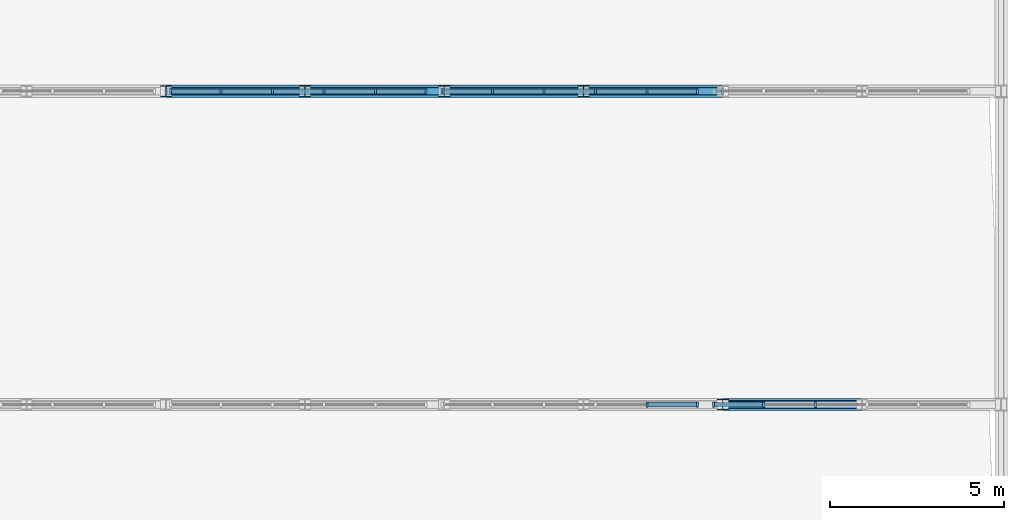
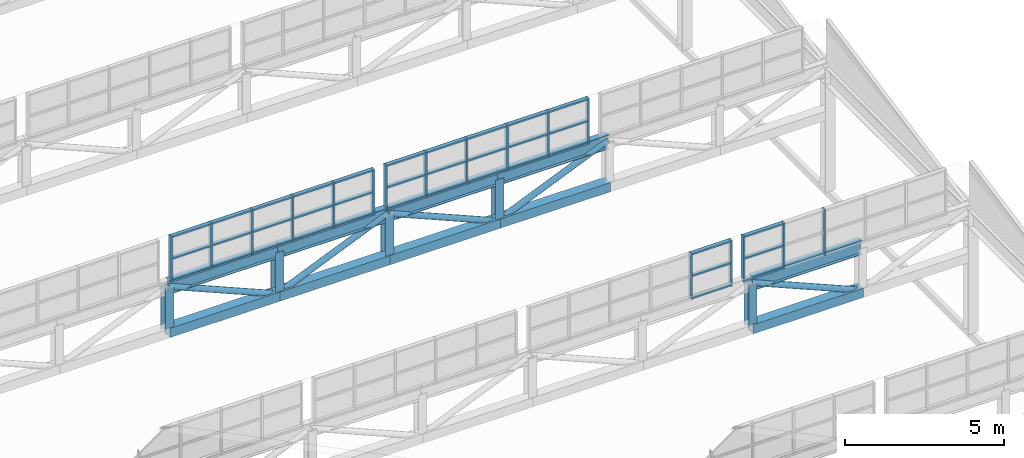
# One storey, part 88 of 159: 73 members, 4 elements without a shape of their own.
"""IFC4 building model written with IfcOpenShell, lengths in metres."""

from ifc_helpers import new_model, si_unit, direction, frame, origin, origin_2d, place, context, subcontext, project, spatial, rectangle, hollow_rectangle, hollow_circle, i_section, extrude, material, layer, layer_set, material_profile, profile_set, type_object, element, aggregate, save


model = new_model("IFC4")

# Units and contexts
model_context = context("Model", 3, precision=1e-05, world=origin(), true_north=direction((0.0, 1.0)))
body_context = subcontext(model_context, "Body", "Model", "MODEL_VIEW")
ifc_project = project(units=[si_unit("LENGTHUNIT", "METRE"), si_unit("AREAUNIT", "SQUARE_METRE"), si_unit("VOLUMEUNIT", "CUBIC_METRE"), si_unit("PLANEANGLEUNIT", "RADIAN"), si_unit("MASSUNIT", "GRAM", prefix="KILO")], contexts=[model_context])

# Site, building, storey
site_placement = place(None, origin())
site = spatial("IfcSite", under=ifc_project, at=site_placement, CompositionType="ELEMENT")
building_placement = place(site_placement, origin())
building = spatial("IfcBuilding", under=site, at=building_placement, Name="Cazmaro Siding Exhibition Halls", CompositionType="ELEMENT")
storey_placement = place(building_placement, frame((0.0, 0.0, 6.0)))
storey = spatial("IfcBuildingStorey", under=building, at=storey_placement, Name="L01", CompositionType="ELEMENT", Elevation=6.0)

# Curtain wall, members
ifc_material_1 = material(Name="Anodized Bronze Aluminum and Solar-Control Low-E Glazing", Category="aluminium")
ifc_layer = layer(ifc_material_1, 0.159912109375)
ifc_layer_set = layer_set([ifc_layer], Name="Anodized Bronze Aluminum and Solar-Control Low-E Glazing")
curtain_wall_type = type_object("IfcCurtainWallType", Name="CWS-04", PredefinedType="USERDEFINED", material=ifc_layer_set)
curtain_wall_1_placement = place(storey_placement, origin())
curtain_wall_1 = element("IfcCurtainWall", 1, at=curtain_wall_1_placement, inside=storey, type_object=curtain_wall_type, Name="Clerestory Curtain Wall CWS-04 CW-118", ObjectType="CLERESTORY CURTAIN WALL", PredefinedType="USERDEFINED")
ifc_material_2 = material(Name="Anodized Bronze Extruded Aluminum", Category="aluminium")
ifc_material_profile_1 = material_profile(ifc_material_2, rectangle(XDim=0.159912109375, YDim=0.06005859375, at=origin_2d()), Name="CWM-04")
ifc_profile_set_1 = profile_set([ifc_material_profile_1], Name="Anodized Bronze Extruded Aluminum")
member_type_1 = type_object("IfcMemberType", Name="CWM-04", PredefinedType="MULLION", material=ifc_profile_set_1)
member_1_placement = place(storey_placement, frame((207.27001953125, 82.0, 4.800048828125), z_axis=(0.0, 0.0, 1.0), x_axis=(0.0, -1.0, 0.0)))
member_1 = element("IfcMember", 2, at=member_1_placement, type_object=member_type_1, Name="CWS-04 mullion 1", PredefinedType="MULLION", context=body_context, shape_type="SweptSolid", body=[
    extrude(rectangle(XDim=0.159912109375, YDim=0.06005859375, at=origin_2d()), origin(), (0.0, 0.0, 1.0), 1.75),
])
member_2_placement = place(storey_placement, frame((205.820068359375, 82.0, 4.800048828125), z_axis=(0.0, 0.0, 1.0), x_axis=(0.0, -1.0, 0.0)))
member_2 = element("IfcMember", 3, at=member_2_placement, type_object=member_type_1, Name="CWS-04 mullion 2", PredefinedType="MULLION", context=body_context, shape_type="SweptSolid", body=[
    extrude(rectangle(XDim=0.159912109375, YDim=0.06005859375, at=origin_2d()), origin(), (0.0, 0.0, 1.0), 1.75),
])

curtain_wall_2_placement = place(storey_placement, origin())
curtain_wall_2 = element("IfcCurtainWall", 4, at=curtain_wall_2_placement, inside=storey, type_object=curtain_wall_type, Name="Clerestory Curtain Wall CWS-04 CW-119", ObjectType="CLERESTORY CURTAIN WALL", PredefinedType="USERDEFINED")
member_3_placement = place(storey_placement, frame((210.659912109375, 82.0, 4.800048828125), z_axis=(0.0, 0.0, 1.0), x_axis=(0.0, -1.0, 0.0)))
member_3 = element("IfcMember", 5, at=member_3_placement, type_object=member_type_1, Name="CWS-04 mullion 4", PredefinedType="MULLION", context=body_context, shape_type="SweptSolid", body=[
    extrude(rectangle(XDim=0.159912109375, YDim=0.06005859375, at=origin_2d()), origin(), (0.0, 0.0, 1.0), 1.75),
])
member_4_placement = place(storey_placement, frame((209.179931640625, 82.0, 4.800048828125), z_axis=(0.0, 0.0, 1.0), x_axis=(0.0, -1.0, 0.0)))
member_4 = element("IfcMember", 6, at=member_4_placement, type_object=member_type_1, Name="CWS-04 mullion 5", PredefinedType="MULLION", context=body_context, shape_type="SweptSolid", body=[
    extrude(rectangle(XDim=0.159912109375, YDim=0.06005859375, at=origin_2d()), origin(), (0.0, 0.0, 1.0), 1.75),
])
member_5_placement = place(storey_placement, frame((207.72998046875, 82.0, 4.800048828125), z_axis=(0.0, 0.0, 1.0), x_axis=(0.0, -1.0, 0.0)))
member_5 = element("IfcMember", 7, at=member_5_placement, type_object=member_type_1, Name="CWS-04 mullion 6", PredefinedType="MULLION", context=body_context, shape_type="SweptSolid", body=[
    extrude(rectangle(XDim=0.159912109375, YDim=0.06005859375, at=origin_2d()), origin(), (0.0, 0.0, 1.0), 1.75),
])

curtain_wall_3_placement = place(storey_placement, origin())
curtain_wall_3 = element("IfcCurtainWall", 8, at=curtain_wall_3_placement, inside=storey, type_object=curtain_wall_type, Name="Clerestory Curtain Wall CWS-04 CW-122", ObjectType="CLERESTORY CURTAIN WALL", PredefinedType="USERDEFINED")
member_6_placement = place(storey_placement, frame((199.469970703125, 91.0, 4.800048828125), z_axis=(0.0, 0.0, 1.0), x_axis=(0.0, -1.0, 0.0)))
member_6 = element("IfcMember", 9, at=member_6_placement, type_object=member_type_1, Name="CWS-04 mullion 1", PredefinedType="MULLION", context=body_context, shape_type="SweptSolid", body=[
    extrude(rectangle(XDim=0.159912109375, YDim=0.06005859375, at=origin_2d()), origin(), (0.0, 0.0, 1.0), 1.75),
])
member_7_placement = place(storey_placement, frame((198.02001953125, 91.0, 4.800048828125), z_axis=(0.0, 0.0, 1.0), x_axis=(0.0, -1.0, 0.0)))
member_7 = element("IfcMember", 10, at=member_7_placement, type_object=member_type_1, Name="CWS-04 mullion 2", PredefinedType="MULLION", context=body_context, shape_type="SweptSolid", body=[
    extrude(rectangle(XDim=0.159912109375, YDim=0.06005859375, at=origin_2d()), origin(), (0.0, 0.0, 1.0), 1.75),
])
member_8_placement = place(storey_placement, frame((196.5400390625, 91.0, 4.800048828125), z_axis=(0.0, 0.0, 1.0), x_axis=(0.0, -1.0, 0.0)))
member_8 = element("IfcMember", 11, at=member_8_placement, type_object=member_type_1, Name="CWS-04 mullion 3", PredefinedType="MULLION", context=body_context, shape_type="SweptSolid", body=[
    extrude(rectangle(XDim=0.159912109375, YDim=0.06005859375, at=origin_2d()), origin(), (0.0, 0.0, 1.0), 1.75),
])
member_9_placement = place(storey_placement, frame((195.06005859375, 91.0, 4.800048828125), z_axis=(0.0, 0.0, 1.0), x_axis=(0.0, -1.0, 0.0)))
member_9 = element("IfcMember", 12, at=member_9_placement, type_object=member_type_1, Name="CWS-04 mullion 4", PredefinedType="MULLION", context=body_context, shape_type="SweptSolid", body=[
    extrude(rectangle(XDim=0.159912109375, YDim=0.06005859375, at=origin_2d()), origin(), (0.0, 0.0, 1.0), 1.75),
])
member_10_placement = place(storey_placement, frame((193.580078125, 91.0, 4.800048828125), z_axis=(0.0, 0.0, 1.0), x_axis=(0.0, -1.0, 0.0)))
member_10 = element("IfcMember", 13, at=member_10_placement, type_object=member_type_1, Name="CWS-04 mullion 5", PredefinedType="MULLION", context=body_context, shape_type="SweptSolid", body=[
    extrude(rectangle(XDim=0.159912109375, YDim=0.06005859375, at=origin_2d()), origin(), (0.0, 0.0, 1.0), 1.75),
])
member_11_placement = place(storey_placement, frame((192.1298828125, 91.0, 4.800048828125), z_axis=(0.0, 0.0, 1.0), x_axis=(0.0, -1.0, 0.0)))
member_11 = element("IfcMember", 14, at=member_11_placement, type_object=member_type_1, Name="CWS-04 mullion 6", PredefinedType="MULLION", context=body_context, shape_type="SweptSolid", body=[
    extrude(rectangle(XDim=0.159912109375, YDim=0.06005859375, at=origin_2d()), origin(), (0.0, 0.0, 1.0), 1.75),
])

curtain_wall_4_placement = place(storey_placement, origin())
curtain_wall_4 = element("IfcCurtainWall", 15, at=curtain_wall_4_placement, inside=storey, type_object=curtain_wall_type, Name="Clerestory Curtain Wall CWS-04 CW-123", ObjectType="CLERESTORY CURTAIN WALL", PredefinedType="USERDEFINED")
member_12_placement = place(storey_placement, frame((207.27001953125, 91.0, 4.800048828125), z_axis=(0.0, 0.0, 1.0), x_axis=(0.0, -1.0, 0.0)))
member_12 = element("IfcMember", 16, at=member_12_placement, type_object=member_type_1, Name="CWS-04 mullion 1", PredefinedType="MULLION", context=body_context, shape_type="SweptSolid", body=[
    extrude(rectangle(XDim=0.159912109375, YDim=0.06005859375, at=origin_2d()), origin(), (0.0, 0.0, 1.0), 1.75),
])
member_13_placement = place(storey_placement, frame((205.820068359375, 91.0, 4.800048828125), z_axis=(0.0, 0.0, 1.0), x_axis=(0.0, -1.0, 0.0)))
member_13 = element("IfcMember", 17, at=member_13_placement, type_object=member_type_1, Name="CWS-04 mullion 2", PredefinedType="MULLION", context=body_context, shape_type="SweptSolid", body=[
    extrude(rectangle(XDim=0.159912109375, YDim=0.06005859375, at=origin_2d()), origin(), (0.0, 0.0, 1.0), 1.75),
])
member_14_placement = place(storey_placement, frame((204.340087890625, 91.0, 4.800048828125), z_axis=(0.0, 0.0, 1.0), x_axis=(0.0, -1.0, 0.0)))
member_14 = element("IfcMember", 18, at=member_14_placement, type_object=member_type_1, Name="CWS-04 mullion 3", PredefinedType="MULLION", context=body_context, shape_type="SweptSolid", body=[
    extrude(rectangle(XDim=0.159912109375, YDim=0.06005859375, at=origin_2d()), origin(), (0.0, 0.0, 1.0), 1.75),
])
member_15_placement = place(storey_placement, frame((202.860107421875, 91.0, 4.800048828125), z_axis=(0.0, 0.0, 1.0), x_axis=(0.0, -1.0, 0.0)))
member_15 = element("IfcMember", 19, at=member_15_placement, type_object=member_type_1, Name="CWS-04 mullion 4", PredefinedType="MULLION", context=body_context, shape_type="SweptSolid", body=[
    extrude(rectangle(XDim=0.159912109375, YDim=0.06005859375, at=origin_2d()), origin(), (0.0, 0.0, 1.0), 1.75),
])
member_16_placement = place(storey_placement, frame((201.3798828125, 91.0, 4.800048828125), z_axis=(0.0, 0.0, 1.0), x_axis=(0.0, -1.0, 0.0)))
member_16 = element("IfcMember", 20, at=member_16_placement, type_object=member_type_1, Name="CWS-04 mullion 5", PredefinedType="MULLION", context=body_context, shape_type="SweptSolid", body=[
    extrude(rectangle(XDim=0.159912109375, YDim=0.06005859375, at=origin_2d()), origin(), (0.0, 0.0, 1.0), 1.75),
])
member_17_placement = place(storey_placement, frame((199.929931640625, 91.0, 4.800048828125), z_axis=(0.0, 0.0, 1.0), x_axis=(0.0, -1.0, 0.0)))
member_17 = element("IfcMember", 21, at=member_17_placement, type_object=member_type_1, Name="CWS-04 mullion 6", PredefinedType="MULLION", context=body_context, shape_type="SweptSolid", body=[
    extrude(rectangle(XDim=0.159912109375, YDim=0.06005859375, at=origin_2d()), origin(), (0.0, 0.0, 1.0), 1.75),
])

# Member
ifc_material_3 = material(Name="Anodized Bronze Extruded Aluminum", Category="aluminium")
ifc_material_profile_2 = material_profile(ifc_material_3, rectangle(XDim=0.139892578125, YDim=0.06005859375, at=origin_2d()), Name="CWT-04")
ifc_profile_set_2 = profile_set([ifc_material_profile_2], Name="Anodized Bronze Extruded Aluminum")
member_type_2 = type_object("IfcMemberType", Name="CWT-04", PredefinedType="MULLION", material=ifc_profile_set_2)
member_18_placement = place(storey_placement, frame((207.239990234375, 82.0, 4.830078125), z_axis=(-1.0, 0.0, 0.0), x_axis=(0.0, -1.0, 0.0)))
member_18 = element("IfcMember", 22, at=member_18_placement, type_object=member_type_2, Name="CWS-04 transom 1.1", ObjectType="TRANSOM", PredefinedType="USERDEFINED", context=body_context, shape_type="SweptSolid", body=[
    extrude(rectangle(XDim=0.139892578125, YDim=0.06005859375, at=origin_2d()), origin(), (0.0, 0.0, 1.0), 1.389892578125),
])

member_19_placement = place(storey_placement, frame((207.239990234375, 82.0, 5.679931640625), z_axis=(-1.0, 0.0, 0.0), x_axis=(0.0, -1.0, 0.0)))
member_19 = element("IfcMember", 23, at=member_19_placement, type_object=member_type_2, Name="CWS-04 transom 1.2", ObjectType="TRANSOM", PredefinedType="USERDEFINED", context=body_context, shape_type="SweptSolid", body=[
    extrude(rectangle(XDim=0.139892578125, YDim=0.06005859375, at=origin_2d()), origin(), (0.0, 0.0, 1.0), 1.389892578125),
])

member_20_placement = place(storey_placement, frame((207.239990234375, 82.0, 6.52001953125), z_axis=(-1.0, 0.0, 0.0), x_axis=(0.0, -1.0, 0.0)))
member_20 = element("IfcMember", 24, at=member_20_placement, type_object=member_type_2, Name="CWS-04 transom 1.3", ObjectType="TRANSOM", PredefinedType="USERDEFINED", context=body_context, shape_type="SweptSolid", body=[
    extrude(rectangle(XDim=0.139892578125, YDim=0.06005859375, at=origin_2d()), origin(), (0.0, 0.0, 1.0), 1.389892578125),
])

aggregate(curtain_wall_1, [member_1, member_2, member_18, member_19, member_20])

member_21_placement = place(storey_placement, frame((209.14990234375, 82.0, 4.830078125), z_axis=(-1.0, 0.0, 0.0), x_axis=(0.0, -1.0, 0.0)))
member_21 = element("IfcMember", 25, at=member_21_placement, type_object=member_type_2, Name="CWS-04 transom 5.1", ObjectType="TRANSOM", PredefinedType="USERDEFINED", context=body_context, shape_type="SweptSolid", body=[
    extrude(rectangle(XDim=0.139892578125, YDim=0.06005859375, at=origin_2d()), origin(), (0.0, 0.0, 1.0), 1.389892578125),
])

member_22_placement = place(storey_placement, frame((209.14990234375, 82.0, 5.679931640625), z_axis=(-1.0, 0.0, 0.0), x_axis=(0.0, -1.0, 0.0)))
member_22 = element("IfcMember", 26, at=member_22_placement, type_object=member_type_2, Name="CWS-04 transom 5.2", ObjectType="TRANSOM", PredefinedType="USERDEFINED", context=body_context, shape_type="SweptSolid", body=[
    extrude(rectangle(XDim=0.139892578125, YDim=0.06005859375, at=origin_2d()), origin(), (0.0, 0.0, 1.0), 1.389892578125),
])

member_23_placement = place(storey_placement, frame((209.14990234375, 82.0, 6.52001953125), z_axis=(-1.0, 0.0, 0.0), x_axis=(0.0, -1.0, 0.0)))
member_23 = element("IfcMember", 27, at=member_23_placement, type_object=member_type_2, Name="CWS-04 transom 5.3", ObjectType="TRANSOM", PredefinedType="USERDEFINED", context=body_context, shape_type="SweptSolid", body=[
    extrude(rectangle(XDim=0.139892578125, YDim=0.06005859375, at=origin_2d()), origin(), (0.0, 0.0, 1.0), 1.389892578125),
])

aggregate(curtain_wall_2, [member_3, member_4, member_5, member_21, member_22, member_23])

member_24_placement = place(storey_placement, frame((199.43994140625, 91.0, 4.830078125), z_axis=(-1.0, 0.0, 0.0), x_axis=(0.0, -1.0, 0.0)))
member_24 = element("IfcMember", 28, at=member_24_placement, type_object=member_type_2, Name="CWS-04 transom 1.1", ObjectType="TRANSOM", PredefinedType="USERDEFINED", context=body_context, shape_type="SweptSolid", body=[
    extrude(rectangle(XDim=0.139892578125, YDim=0.06005859375, at=origin_2d()), origin(), (0.0, 0.0, 1.0), 1.389892578125),
])

member_25_placement = place(storey_placement, frame((199.43994140625, 91.0, 5.679931640625), z_axis=(-1.0, 0.0, 0.0), x_axis=(0.0, -1.0, 0.0)))
member_25 = element("IfcMember", 29, at=member_25_placement, type_object=member_type_2, Name="CWS-04 transom 1.2", ObjectType="TRANSOM", PredefinedType="USERDEFINED", context=body_context, shape_type="SweptSolid", body=[
    extrude(rectangle(XDim=0.139892578125, YDim=0.06005859375, at=origin_2d()), origin(), (0.0, 0.0, 1.0), 1.389892578125),
])

member_26_placement = place(storey_placement, frame((199.43994140625, 91.0, 6.52001953125), z_axis=(-1.0, 0.0, 0.0), x_axis=(0.0, -1.0, 0.0)))
member_26 = element("IfcMember", 30, at=member_26_placement, type_object=member_type_2, Name="CWS-04 transom 1.3", ObjectType="TRANSOM", PredefinedType="USERDEFINED", context=body_context, shape_type="SweptSolid", body=[
    extrude(rectangle(XDim=0.139892578125, YDim=0.06005859375, at=origin_2d()), origin(), (0.0, 0.0, 1.0), 1.389892578125),
])

member_27_placement = place(storey_placement, frame((197.989990234375, 91.0, 4.830078125), z_axis=(-1.0, 0.0, 0.0), x_axis=(0.0, -1.0, 0.0)))
member_27 = element("IfcMember", 31, at=member_27_placement, type_object=member_type_2, Name="CWS-04 transom 2.1", ObjectType="TRANSOM", PredefinedType="USERDEFINED", context=body_context, shape_type="SweptSolid", body=[
    extrude(rectangle(XDim=0.139892578125, YDim=0.06005859375, at=origin_2d()), origin(), (0.0, 0.0, 1.0), 1.419921875),
])

member_28_placement = place(storey_placement, frame((197.989990234375, 91.0, 5.679931640625), z_axis=(-1.0, 0.0, 0.0), x_axis=(0.0, -1.0, 0.0)))
member_28 = element("IfcMember", 32, at=member_28_placement, type_object=member_type_2, Name="CWS-04 transom 2.2", ObjectType="TRANSOM", PredefinedType="USERDEFINED", context=body_context, shape_type="SweptSolid", body=[
    extrude(rectangle(XDim=0.139892578125, YDim=0.06005859375, at=origin_2d()), origin(), (0.0, 0.0, 1.0), 1.419921875),
])

member_29_placement = place(storey_placement, frame((197.989990234375, 91.0, 6.52001953125), z_axis=(-1.0, 0.0, 0.0), x_axis=(0.0, -1.0, 0.0)))
member_29 = element("IfcMember", 33, at=member_29_placement, type_object=member_type_2, Name="CWS-04 transom 2.3", ObjectType="TRANSOM", PredefinedType="USERDEFINED", context=body_context, shape_type="SweptSolid", body=[
    extrude(rectangle(XDim=0.139892578125, YDim=0.06005859375, at=origin_2d()), origin(), (0.0, 0.0, 1.0), 1.419921875),
])

member_30_placement = place(storey_placement, frame((196.510009765625, 91.0, 4.830078125), z_axis=(-1.0, 0.0, 0.0), x_axis=(0.0, -1.0, 0.0)))
member_30 = element("IfcMember", 34, at=member_30_placement, type_object=member_type_2, Name="CWS-04 transom 3.1", ObjectType="TRANSOM", PredefinedType="USERDEFINED", context=body_context, shape_type="SweptSolid", body=[
    extrude(rectangle(XDim=0.139892578125, YDim=0.06005859375, at=origin_2d()), origin(), (0.0, 0.0, 1.0), 1.419921875),
])

member_31_placement = place(storey_placement, frame((196.510009765625, 91.0, 5.679931640625), z_axis=(-1.0, 0.0, 0.0), x_axis=(0.0, -1.0, 0.0)))
member_31 = element("IfcMember", 35, at=member_31_placement, type_object=member_type_2, Name="CWS-04 transom 3.2", ObjectType="TRANSOM", PredefinedType="USERDEFINED", context=body_context, shape_type="SweptSolid", body=[
    extrude(rectangle(XDim=0.139892578125, YDim=0.06005859375, at=origin_2d()), origin(), (0.0, 0.0, 1.0), 1.419921875),
])

member_32_placement = place(storey_placement, frame((196.510009765625, 91.0, 6.52001953125), z_axis=(-1.0, 0.0, 0.0), x_axis=(0.0, -1.0, 0.0)))
member_32 = element("IfcMember", 36, at=member_32_placement, type_object=member_type_2, Name="CWS-04 transom 3.3", ObjectType="TRANSOM", PredefinedType="USERDEFINED", context=body_context, shape_type="SweptSolid", body=[
    extrude(rectangle(XDim=0.139892578125, YDim=0.06005859375, at=origin_2d()), origin(), (0.0, 0.0, 1.0), 1.419921875),
])

member_33_placement = place(storey_placement, frame((195.030029296875, 91.0, 4.830078125), z_axis=(-1.0, 0.0, 0.0), x_axis=(0.0, -1.0, 0.0)))
member_33 = element("IfcMember", 37, at=member_33_placement, type_object=member_type_2, Name="CWS-04 transom 4.1", ObjectType="TRANSOM", PredefinedType="USERDEFINED", context=body_context, shape_type="SweptSolid", body=[
    extrude(rectangle(XDim=0.139892578125, YDim=0.06005859375, at=origin_2d()), origin(), (0.0, 0.0, 1.0), 1.419921875),
])

member_34_placement = place(storey_placement, frame((195.030029296875, 91.0, 5.679931640625), z_axis=(-1.0, 0.0, 0.0), x_axis=(0.0, -1.0, 0.0)))
member_34 = element("IfcMember", 38, at=member_34_placement, type_object=member_type_2, Name="CWS-04 transom 4.2", ObjectType="TRANSOM", PredefinedType="USERDEFINED", context=body_context, shape_type="SweptSolid", body=[
    extrude(rectangle(XDim=0.139892578125, YDim=0.06005859375, at=origin_2d()), origin(), (0.0, 0.0, 1.0), 1.419921875),
])

member_35_placement = place(storey_placement, frame((195.030029296875, 91.0, 6.52001953125), z_axis=(-1.0, 0.0, 0.0), x_axis=(0.0, -1.0, 0.0)))
member_35 = element("IfcMember", 39, at=member_35_placement, type_object=member_type_2, Name="CWS-04 transom 4.3", ObjectType="TRANSOM", PredefinedType="USERDEFINED", context=body_context, shape_type="SweptSolid", body=[
    extrude(rectangle(XDim=0.139892578125, YDim=0.06005859375, at=origin_2d()), origin(), (0.0, 0.0, 1.0), 1.419921875),
])

member_36_placement = place(storey_placement, frame((193.550048828125, 91.0, 4.830078125), z_axis=(-1.0, 0.0, 0.0), x_axis=(0.0, -1.0, 0.0)))
member_36 = element("IfcMember", 40, at=member_36_placement, type_object=member_type_2, Name="CWS-04 transom 5.1", ObjectType="TRANSOM", PredefinedType="USERDEFINED", context=body_context, shape_type="SweptSolid", body=[
    extrude(rectangle(XDim=0.139892578125, YDim=0.06005859375, at=origin_2d()), origin(), (0.0, 0.0, 1.0), 1.39013671875),
])

member_37_placement = place(storey_placement, frame((193.550048828125, 91.0, 5.679931640625), z_axis=(-1.0, 0.0, 0.0), x_axis=(0.0, -1.0, 0.0)))
member_37 = element("IfcMember", 41, at=member_37_placement, type_object=member_type_2, Name="CWS-04 transom 5.2", ObjectType="TRANSOM", PredefinedType="USERDEFINED", context=body_context, shape_type="SweptSolid", body=[
    extrude(rectangle(XDim=0.139892578125, YDim=0.06005859375, at=origin_2d()), origin(), (0.0, 0.0, 1.0), 1.39013671875),
])

member_38_placement = place(storey_placement, frame((193.550048828125, 91.0, 6.52001953125), z_axis=(-1.0, 0.0, 0.0), x_axis=(0.0, -1.0, 0.0)))
member_38 = element("IfcMember", 42, at=member_38_placement, type_object=member_type_2, Name="CWS-04 transom 5.3", ObjectType="TRANSOM", PredefinedType="USERDEFINED", context=body_context, shape_type="SweptSolid", body=[
    extrude(rectangle(XDim=0.139892578125, YDim=0.06005859375, at=origin_2d()), origin(), (0.0, 0.0, 1.0), 1.39013671875),
])

aggregate(curtain_wall_3, [member_6, member_7, member_8, member_9, member_10, member_11, member_24, member_25, member_26, member_27, member_28, member_29, member_30, member_31, member_32, member_33, member_34, member_35, member_36, member_37, member_38])

member_39_placement = place(storey_placement, frame((207.239990234375, 91.0, 4.830078125), z_axis=(-1.0, 0.0, 0.0), x_axis=(0.0, -1.0, 0.0)))
member_39 = element("IfcMember", 43, at=member_39_placement, type_object=member_type_2, Name="CWS-04 transom 1.1", ObjectType="TRANSOM", PredefinedType="USERDEFINED", context=body_context, shape_type="SweptSolid", body=[
    extrude(rectangle(XDim=0.139892578125, YDim=0.06005859375, at=origin_2d()), origin(), (0.0, 0.0, 1.0), 1.389892578125),
])

member_40_placement = place(storey_placement, frame((207.239990234375, 91.0, 5.679931640625), z_axis=(-1.0, 0.0, 0.0), x_axis=(0.0, -1.0, 0.0)))
member_40 = element("IfcMember", 44, at=member_40_placement, type_object=member_type_2, Name="CWS-04 transom 1.2", ObjectType="TRANSOM", PredefinedType="USERDEFINED", context=body_context, shape_type="SweptSolid", body=[
    extrude(rectangle(XDim=0.139892578125, YDim=0.06005859375, at=origin_2d()), origin(), (0.0, 0.0, 1.0), 1.389892578125),
])

member_41_placement = place(storey_placement, frame((207.239990234375, 91.0, 6.52001953125), z_axis=(-1.0, 0.0, 0.0), x_axis=(0.0, -1.0, 0.0)))
member_41 = element("IfcMember", 45, at=member_41_placement, type_object=member_type_2, Name="CWS-04 transom 1.3", ObjectType="TRANSOM", PredefinedType="USERDEFINED", context=body_context, shape_type="SweptSolid", body=[
    extrude(rectangle(XDim=0.139892578125, YDim=0.06005859375, at=origin_2d()), origin(), (0.0, 0.0, 1.0), 1.389892578125),
])

member_42_placement = place(storey_placement, frame((205.7900390625, 91.0, 4.830078125), z_axis=(-1.0, 0.0, 0.0), x_axis=(0.0, -1.0, 0.0)))
member_42 = element("IfcMember", 46, at=member_42_placement, type_object=member_type_2, Name="CWS-04 transom 2.1", ObjectType="TRANSOM", PredefinedType="USERDEFINED", context=body_context, shape_type="SweptSolid", body=[
    extrude(rectangle(XDim=0.139892578125, YDim=0.06005859375, at=origin_2d()), origin(), (0.0, 0.0, 1.0), 1.419921875),
])

member_43_placement = place(storey_placement, frame((205.7900390625, 91.0, 5.679931640625), z_axis=(-1.0, 0.0, 0.0), x_axis=(0.0, -1.0, 0.0)))
member_43 = element("IfcMember", 47, at=member_43_placement, type_object=member_type_2, Name="CWS-04 transom 2.2", ObjectType="TRANSOM", PredefinedType="USERDEFINED", context=body_context, shape_type="SweptSolid", body=[
    extrude(rectangle(XDim=0.139892578125, YDim=0.06005859375, at=origin_2d()), origin(), (0.0, 0.0, 1.0), 1.419921875),
])

member_44_placement = place(storey_placement, frame((205.7900390625, 91.0, 6.52001953125), z_axis=(-1.0, 0.0, 0.0), x_axis=(0.0, -1.0, 0.0)))
member_44 = element("IfcMember", 48, at=member_44_placement, type_object=member_type_2, Name="CWS-04 transom 2.3", ObjectType="TRANSOM", PredefinedType="USERDEFINED", context=body_context, shape_type="SweptSolid", body=[
    extrude(rectangle(XDim=0.139892578125, YDim=0.06005859375, at=origin_2d()), origin(), (0.0, 0.0, 1.0), 1.419921875),
])

member_45_placement = place(storey_placement, frame((204.31005859375, 91.0, 4.830078125), z_axis=(-1.0, 0.0, 0.0), x_axis=(0.0, -1.0, 0.0)))
member_45 = element("IfcMember", 49, at=member_45_placement, type_object=member_type_2, Name="CWS-04 transom 3.1", ObjectType="TRANSOM", PredefinedType="USERDEFINED", context=body_context, shape_type="SweptSolid", body=[
    extrude(rectangle(XDim=0.139892578125, YDim=0.06005859375, at=origin_2d()), origin(), (0.0, 0.0, 1.0), 1.420166015625),
])

member_46_placement = place(storey_placement, frame((204.31005859375, 91.0, 5.679931640625), z_axis=(-1.0, 0.0, 0.0), x_axis=(0.0, -1.0, 0.0)))
member_46 = element("IfcMember", 50, at=member_46_placement, type_object=member_type_2, Name="CWS-04 transom 3.2", ObjectType="TRANSOM", PredefinedType="USERDEFINED", context=body_context, shape_type="SweptSolid", body=[
    extrude(rectangle(XDim=0.139892578125, YDim=0.06005859375, at=origin_2d()), origin(), (0.0, 0.0, 1.0), 1.420166015625),
])

member_47_placement = place(storey_placement, frame((204.31005859375, 91.0, 6.52001953125), z_axis=(-1.0, 0.0, 0.0), x_axis=(0.0, -1.0, 0.0)))
member_47 = element("IfcMember", 51, at=member_47_placement, type_object=member_type_2, Name="CWS-04 transom 3.3", ObjectType="TRANSOM", PredefinedType="USERDEFINED", context=body_context, shape_type="SweptSolid", body=[
    extrude(rectangle(XDim=0.139892578125, YDim=0.06005859375, at=origin_2d()), origin(), (0.0, 0.0, 1.0), 1.420166015625),
])

member_48_placement = place(storey_placement, frame((202.830078125, 91.0, 4.830078125), z_axis=(-1.0, 0.0, 0.0), x_axis=(0.0, -1.0, 0.0)))
member_48 = element("IfcMember", 52, at=member_48_placement, type_object=member_type_2, Name="CWS-04 transom 4.1", ObjectType="TRANSOM", PredefinedType="USERDEFINED", context=body_context, shape_type="SweptSolid", body=[
    extrude(rectangle(XDim=0.139892578125, YDim=0.06005859375, at=origin_2d()), origin(), (0.0, 0.0, 1.0), 1.420166015625),
])

member_49_placement = place(storey_placement, frame((202.830078125, 91.0, 5.679931640625), z_axis=(-1.0, 0.0, 0.0), x_axis=(0.0, -1.0, 0.0)))
member_49 = element("IfcMember", 53, at=member_49_placement, type_object=member_type_2, Name="CWS-04 transom 4.2", ObjectType="TRANSOM", PredefinedType="USERDEFINED", context=body_context, shape_type="SweptSolid", body=[
    extrude(rectangle(XDim=0.139892578125, YDim=0.06005859375, at=origin_2d()), origin(), (0.0, 0.0, 1.0), 1.420166015625),
])

member_50_placement = place(storey_placement, frame((202.830078125, 91.0, 6.52001953125), z_axis=(-1.0, 0.0, 0.0), x_axis=(0.0, -1.0, 0.0)))
member_50 = element("IfcMember", 54, at=member_50_placement, type_object=member_type_2, Name="CWS-04 transom 4.3", ObjectType="TRANSOM", PredefinedType="USERDEFINED", context=body_context, shape_type="SweptSolid", body=[
    extrude(rectangle(XDim=0.139892578125, YDim=0.06005859375, at=origin_2d()), origin(), (0.0, 0.0, 1.0), 1.420166015625),
])

member_51_placement = place(storey_placement, frame((201.35009765625, 91.0, 4.830078125), z_axis=(-1.0, 0.0, 0.0), x_axis=(0.0, -1.0, 0.0)))
member_51 = element("IfcMember", 55, at=member_51_placement, type_object=member_type_2, Name="CWS-04 transom 5.1", ObjectType="TRANSOM", PredefinedType="USERDEFINED", context=body_context, shape_type="SweptSolid", body=[
    extrude(rectangle(XDim=0.139892578125, YDim=0.06005859375, at=origin_2d()), origin(), (0.0, 0.0, 1.0), 1.39013671875),
])

member_52_placement = place(storey_placement, frame((201.35009765625, 91.0, 5.679931640625), z_axis=(-1.0, 0.0, 0.0), x_axis=(0.0, -1.0, 0.0)))
member_52 = element("IfcMember", 56, at=member_52_placement, type_object=member_type_2, Name="CWS-04 transom 5.2", ObjectType="TRANSOM", PredefinedType="USERDEFINED", context=body_context, shape_type="SweptSolid", body=[
    extrude(rectangle(XDim=0.139892578125, YDim=0.06005859375, at=origin_2d()), origin(), (0.0, 0.0, 1.0), 1.39013671875),
])

member_53_placement = place(storey_placement, frame((201.35009765625, 91.0, 6.52001953125), z_axis=(-1.0, 0.0, 0.0), x_axis=(0.0, -1.0, 0.0)))
member_53 = element("IfcMember", 57, at=member_53_placement, type_object=member_type_2, Name="CWS-04 transom 5.3", ObjectType="TRANSOM", PredefinedType="USERDEFINED", context=body_context, shape_type="SweptSolid", body=[
    extrude(rectangle(XDim=0.139892578125, YDim=0.06005859375, at=origin_2d()), origin(), (0.0, 0.0, 1.0), 1.39013671875),
])

aggregate(curtain_wall_4, [member_12, member_13, member_14, member_15, member_16, member_17, member_39, member_40, member_41, member_42, member_43, member_44, member_45, member_46, member_47, member_48, member_49, member_50, member_51, member_52, member_53])

# Members
ifc_material_4 = material(Name="Steel ASTM A992 Grade 50", Category="steel")
ifc_material_profile_3 = material_profile(ifc_material_4, i_section(OverallWidth=0.214111328125, OverallDepth=0.549072265625, WebThickness=0.014892578125, FlangeThickness=0.02392578125, at=origin_2d()), Name="W21X93")
ifc_profile_set_3 = profile_set([ifc_material_profile_3], Name="Steel ASTM A992 Grade 50")
member_type_3 = type_object("IfcMemberType", Name="TC-04", PredefinedType="CHORD", material=ifc_profile_set_3)
for number, where, z_axis, x_axis, name in (
    (58, (208.0, 82.0, 4.64990234375), (1.0, 0.0, 0.0), (0.0, 1.0, 0.0), "Sawtooth truss top chord TC-04 MEM-3073"),
    (59, (192.0, 91.0, 4.64990234375), (1.0, 0.0, 0.0), (0.0, 1.0, 0.0), "Sawtooth truss top chord TC-04 MEM-3100"),
    (60, (196.0, 91.0, 4.64990234375), (1.0, 0.0, 0.0), (0.0, 1.0, 0.0), "Sawtooth truss top chord TC-04 MEM-3103"),
    (61, (200.0, 91.0, 4.64990234375), (1.0, 0.0, 0.0), (0.0, 1.0, 0.0), "Sawtooth truss top chord TC-04 MEM-3106"),
    (62, (204.0, 91.0, 4.64990234375), (1.0, 0.0, 0.0), (0.0, 1.0, 0.0), "Sawtooth truss top chord TC-04 MEM-3109"),
):
    element("IfcMember", number, at=place(storey_placement, frame(where, z_axis=z_axis, x_axis=x_axis)), inside=storey, type_object=member_type_3, Name=name, PredefinedType="CHORD", context=body_context, shape_type="SweptSolid", body=[
        extrude(i_section(OverallWidth=0.214111328125, OverallDepth=0.549072265625, WebThickness=0.014892578125, FlangeThickness=0.02392578125, at=origin_2d()), origin(), (0.0, 0.0, 1.0), 4.0),
    ])
ifc_material_5 = material(Name="Steel ASTM A500 Grade C", Category="steel")
ifc_material_profile_4 = material_profile(ifc_material_5, hollow_rectangle(XDim=0.35595703125, YDim=0.35595703125, WallThickness=0.014892578125, at=origin_2d()), Name="HSS14X14X5/8")
ifc_profile_set_4 = profile_set([ifc_material_profile_4], Name="Steel ASTM A500 Grade C")
member_type_4 = type_object("IfcMemberType", Name="TC-05", PredefinedType="CHORD", material=ifc_profile_set_4)
for number, where, z_axis, x_axis, name in (
    (63, (208.0, 82.0, 2.949951171875), (1.0, 0.0, 0.0), (0.0, 1.0, 0.0), "Sawtooth truss bottom chord TC-05 MEM-3074"),
    (64, (192.0, 91.0, 2.949951171875), (1.0, 0.0, 0.0), (0.0, 1.0, 0.0), "Sawtooth truss bottom chord TC-05 MEM-3101"),
    (65, (196.0, 91.0, 2.949951171875), (1.0, 0.0, 0.0), (0.0, 1.0, 0.0), "Sawtooth truss bottom chord TC-05 MEM-3104"),
    (66, (200.0, 91.0, 2.949951171875), (1.0, 0.0, 0.0), (0.0, 1.0, 0.0), "Sawtooth truss bottom chord TC-05 MEM-3107"),
    (67, (204.0, 91.0, 2.949951171875), (1.0, 0.0, 0.0), (0.0, 1.0, 0.0), "Sawtooth truss bottom chord TC-05 MEM-3110"),
):
    element("IfcMember", number, at=place(storey_placement, frame(where, z_axis=z_axis, x_axis=x_axis)), inside=storey, type_object=member_type_4, Name=name, PredefinedType="CHORD", context=body_context, shape_type="SweptSolid", body=[
        extrude(hollow_rectangle(XDim=0.35595703125, YDim=0.35595703125, WallThickness=0.014892578125, at=origin_2d()), origin(), (0.0, 0.0, 1.0), 4.0),
    ])
ifc_material_6 = material(Name="Steel ASTM A992 Grade 50", Category="steel")
ifc_material_profile_5 = material_profile(ifc_material_6, i_section(OverallWidth=0.304931640625, OverallDepth=0.306884765625, WebThickness=0.010009765625, FlangeThickness=0.014892578125, at=origin_2d()), Name="W12X65")
ifc_profile_set_5 = profile_set([ifc_material_profile_5], Name="Steel ASTM A992 Grade 50")
member_type_5 = type_object("IfcMemberType", Name="TP-03", PredefinedType="POST", material=ifc_profile_set_5)
for number, where, z_axis, x_axis, name in (
    (68, (208.0, 82.0, 2.949951171875), (0.0, 0.0, 1.0), (1.0, 0.0, 0.0), "Sawtooth truss post TP-03 MEM-3086"),
    (69, (192.0, 91.0, 2.949951171875), (0.0, 0.0, 1.0), (1.0, 0.0, 0.0), "Sawtooth truss post TP-03 MEM-3121"),
    (70, (196.0, 91.0, 2.949951171875), (0.0, 0.0, 1.0), (1.0, 0.0, 0.0), "Sawtooth truss post TP-03 MEM-3122"),
    (71, (200.0, 91.0, 2.949951171875), (0.0, 0.0, 1.0), (1.0, 0.0, 0.0), "Sawtooth truss post TP-03 MEM-3123"),
    (72, (204.0, 91.0, 2.949951171875), (0.0, 0.0, 1.0), (1.0, 0.0, 0.0), "Sawtooth truss post TP-03 MEM-3124"),
):
    element("IfcMember", number, at=place(storey_placement, frame(where, z_axis=z_axis, x_axis=x_axis)), inside=storey, type_object=member_type_5, Name=name, PredefinedType="POST", context=body_context, shape_type="SweptSolid", body=[
        extrude(i_section(OverallWidth=0.304931640625, OverallDepth=0.306884765625, WebThickness=0.010009765625, FlangeThickness=0.014892578125, at=origin_2d()), origin(), (0.0, 0.0, 1.0), 1.699951171875),
    ])
ifc_material_7 = material(Name="Steel ASTM A500 Grade C", Category="steel")
ifc_material_profile_6 = material_profile(ifc_material_7, hollow_circle(Radius=0.109619140625, WallThickness=0.012939453125, at=origin_2d()), Name="PIPE8XS")
ifc_profile_set_6 = profile_set([ifc_material_profile_6], Name="Steel ASTM A500 Grade C")
member_type_6 = type_object("IfcMemberType", Name="WB-01", PredefinedType="BRACE", material=ifc_profile_set_6)
for number, where, z_axis, x_axis, name in (
    (73, (208.0, 82.0, 4.64990234375), (0.920334962612, 0.0, -0.391131124553), (0.0, 1.0, 0.0), "Sawtooth truss diagonal WB-01 MEM-3075"),
    (74, (192.0, 91.0, 4.64990234375), (0.920334962612, 0.0, -0.391131124553), (0.0, 1.0, 0.0), "Sawtooth truss diagonal WB-01 MEM-3102"),
    (75, (196.0, 91.0, 2.949951171875), (0.920334962612, 0.0, 0.391131124553), (0.0, 1.0, 0.0), "Sawtooth truss diagonal WB-01 MEM-3105"),
    (76, (200.0, 91.0, 4.64990234375), (0.920334962612, 0.0, -0.391131124553), (0.0, 1.0, 0.0), "Sawtooth truss diagonal WB-01 MEM-3108"),
    (77, (204.0, 91.0, 2.949951171875), (0.920334962612, 0.0, 0.391131124553), (0.0, 1.0, 0.0), "Sawtooth truss diagonal WB-01 MEM-3111"),
):
    element("IfcMember", number, at=place(storey_placement, frame(where, z_axis=z_axis, x_axis=x_axis)), inside=storey, type_object=member_type_6, Name=name, PredefinedType="BRACE", context=body_context, shape_type="SweptSolid", body=[
        extrude(hollow_circle(Radius=0.109619140625, WallThickness=0.012939453125, at=origin_2d()), origin(), (0.0, 0.0, 1.0), 4.34619140625),
    ])

save(model, "model.ifc")
